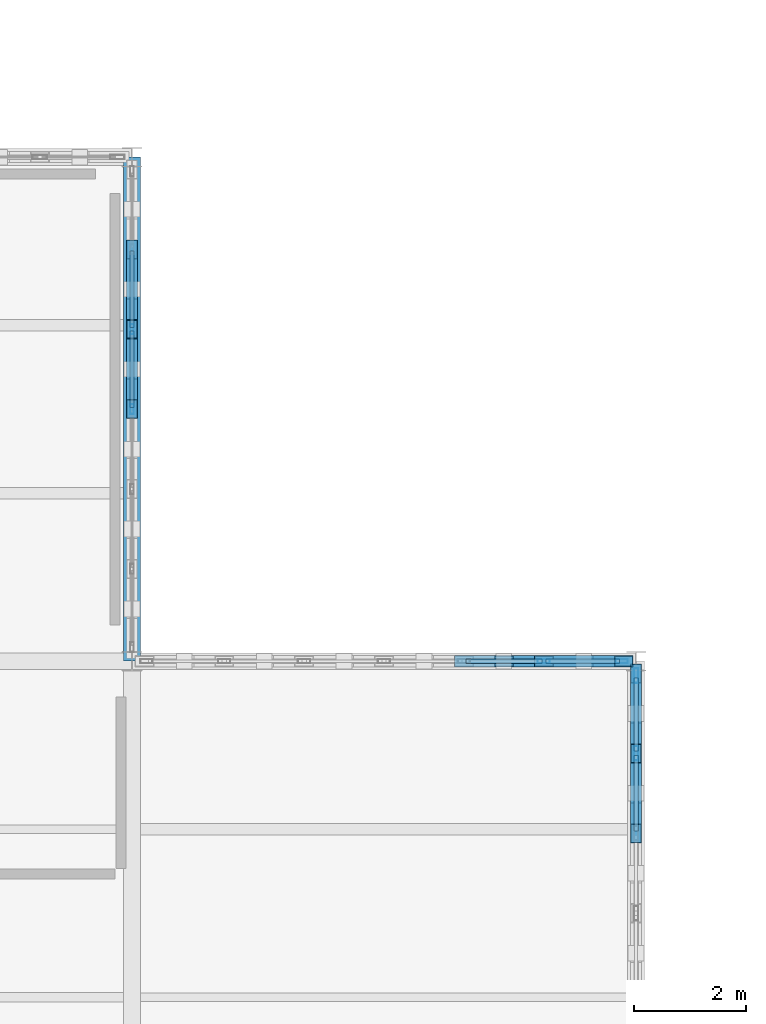
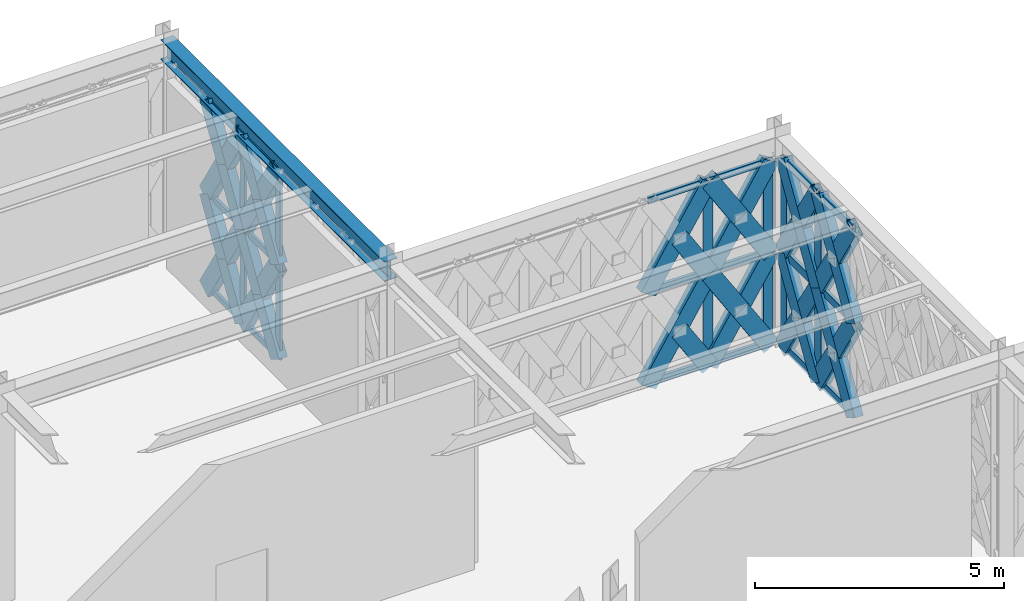
# One storey, part 121 of 166: 58 members, 1 beam, 3 elements without a shape of their own.
"""IFC4 building model written with IfcOpenShell, lengths in metres."""

from ifc_helpers import new_model, si_unit, direction, frame, origin, origin_2d, place, context, subcontext, project, spatial, hollow_rectangle, i_section, extrude, material, material_profile, profile_set, type_object, element, aggregate, save


model = new_model("IFC4")

# Units and contexts
model_context = context("Model", 3, precision=1e-05, world=origin(), true_north=direction((0.0, 1.0)))
body_context = subcontext(model_context, "Body", "Model", "MODEL_VIEW")
ifc_project = project(units=[si_unit("LENGTHUNIT", "METRE"), si_unit("AREAUNIT", "SQUARE_METRE"), si_unit("VOLUMEUNIT", "CUBIC_METRE"), si_unit("PLANEANGLEUNIT", "RADIAN"), si_unit("MASSUNIT", "GRAM", prefix="KILO")], contexts=[model_context])

# Site, building, storey
site_placement = place(None, origin())
site = spatial("IfcSite", under=ifc_project, at=site_placement, CompositionType="ELEMENT")
building_placement = place(site_placement, origin())
building = spatial("IfcBuilding", under=site, at=building_placement, Name="Haizhuo Lancet Aquarium", CompositionType="ELEMENT")
storey_placement = place(building_placement, frame((0.0, 0.0, 5.39990234375)))
storey = spatial("IfcBuildingStorey", under=building, at=storey_placement, Name="L01", CompositionType="ELEMENT", Elevation=5.39990234375)

# Beam
ifc_material_1 = material(Name="Steel S355", Category="steel")
ifc_material_profile_1 = material_profile(ifc_material_1, i_section(OverallWidth=0.300048828125, OverallDepth=0.488037109375, WebThickness=0.010986328125, FlangeThickness=0.01806640625, FilletRadius=0.02392578125, at=origin_2d()), Name="HM 488x300x11x18")
ifc_profile_set_1 = profile_set([ifc_material_profile_1], Name="Steel S355")
beam_type = type_object("IfcBeamType", Name="BM-ST-HM488", PredefinedType="BEAM", material=ifc_profile_set_1)
beam_placement = place(storey_placement, frame((63.0, 27.0, 4.89599609375), z_axis=(0.0, 1.0, 0.0), x_axis=(-1.0, 0.0, 0.0)))
element("IfcBeam", 1, at=beam_placement, inside=storey, type_object=beam_type, Name="L01 V7 primary girder BM-L01-V7-025", PredefinedType="BEAM", context=body_context, shape_type="SweptSolid", body=[
    extrude(i_section(OverallWidth=0.300048828125, OverallDepth=0.488037109375, WebThickness=0.010986328125, FlangeThickness=0.01806640625, FilletRadius=0.02392578125, at=origin_2d()), origin(), (0.0, 0.0, 1.0), 9.0),
])

# Curtain wall, members
ifc_material_2 = material(Name="Aluminium 6063-T6", Category="aluminium")
curtain_wall_type_1 = type_object("IfcCurtainWallType", Name="CWD-8560x4650", PredefinedType="NOTDEFINED", material=ifc_material_2)
curtain_wall_1_placement = place(storey_placement, origin())
curtain_wall_1 = element("IfcCurtainWall", 2, at=curtain_wall_1_placement, inside=storey, type_object=curtain_wall_type_1, Name="L01 curtain wall CW-V7-L01-286", PredefinedType="NOTDEFINED")
ifc_material_profile_2 = material_profile(ifc_material_2, hollow_rectangle(XDim=0.06494140625, YDim=0.179931640625, WallThickness=0.00390625, at=origin_2d()), Name="ALU-M 65x180x4")
ifc_profile_set_2 = profile_set([ifc_material_profile_2], Name="Aluminium 6063-T6")
member_type_1 = type_object("IfcMemberType", Name="CW-MUL-1", PredefinedType="MULLION", material=ifc_profile_set_2)
member_1_placement = place(storey_placement, frame((63.0, 32.927001953125, 0.0), z_axis=(0.0, 0.0, 1.0), x_axis=(1.0, 0.0, 0.0)))
member_1 = element("IfcMember", 3, at=member_1_placement, type_object=member_type_1, Name="CWD-85x46 mullion 3", PredefinedType="MULLION", context=body_context, shape_type="SweptSolid", body=[
    extrude(hollow_rectangle(XDim=0.06494140625, YDim=0.179931640625, WallThickness=0.00390625, at=origin_2d()), origin(), (0.0, 0.0, 1.0), 4.652099609375),
])
member_2_placement = place(storey_placement, frame((63.0, 31.5, 0.0), z_axis=(0.0, 0.0, 1.0), x_axis=(1.0, 0.0, 0.0)))
member_2 = element("IfcMember", 4, at=member_2_placement, type_object=member_type_1, Name="CWD-85x46 mullion 4", PredefinedType="MULLION", context=body_context, shape_type="SweptSolid", body=[
    extrude(hollow_rectangle(XDim=0.06494140625, YDim=0.179931640625, WallThickness=0.00390625, at=origin_2d()), origin(), (0.0, 0.0, 1.0), 4.652099609375),
])

curtain_wall_type_2 = type_object("IfcCurtainWallType", Name="CWD-8560x4550", PredefinedType="NOTDEFINED", material=ifc_material_2)
curtain_wall_2_placement = place(storey_placement, origin())
curtain_wall_2 = element("IfcCurtainWall", 5, at=curtain_wall_2_placement, inside=storey, type_object=curtain_wall_type_2, Name="L01 curtain wall CW-V7-L01-287", PredefinedType="NOTDEFINED")
ifc_material_profile_3 = material_profile(ifc_material_2, hollow_rectangle(XDim=0.074951171875, YDim=0.219970703125, WallThickness=0.0048828125, at=origin_2d()), Name="ALU-M 75x220x5")
ifc_profile_set_3 = profile_set([ifc_material_profile_3], Name="Aluminium 6063-T6")
member_type_2 = type_object("IfcMemberType", Name="CW-MUL-2", PredefinedType="MULLION", material=ifc_profile_set_3)
member_3_placement = place(storey_placement, frame((70.35302734375, 27.0, 0.0), z_axis=(0.0, 0.0, 1.0), x_axis=(0.0, 1.0, 0.0)))
member_3 = element("IfcMember", 6, at=member_3_placement, type_object=member_type_2, Name="CWD-85x45 mullion 6", PredefinedType="MULLION", context=body_context, shape_type="SweptSolid", body=[
    extrude(hollow_rectangle(XDim=0.074951171875, YDim=0.219970703125, WallThickness=0.0048828125, at=origin_2d()), origin(), (0.0, 0.0, 1.0), 4.552001953125),
])
member_4_placement = place(storey_placement, frame((71.742919921875, 27.0, 0.0), z_axis=(0.0, 0.0, 1.0), x_axis=(0.0, 1.0, 0.0)))
member_4 = element("IfcMember", 7, at=member_4_placement, type_object=member_type_2, Name="CWD-85x45 mullion 7", PredefinedType="MULLION", context=body_context, shape_type="SweptSolid", body=[
    extrude(hollow_rectangle(XDim=0.074951171875, YDim=0.219970703125, WallThickness=0.0048828125, at=origin_2d()), origin(), (0.0, 0.0, 1.0), 4.552001953125),
])

curtain_wall_3_placement = place(storey_placement, origin())
curtain_wall_3 = element("IfcCurtainWall", 8, at=curtain_wall_3_placement, inside=storey, type_object=curtain_wall_type_1, Name="L01 curtain wall CW-V7-L01-288", PredefinedType="NOTDEFINED")
ifc_material_profile_4 = material_profile(ifc_material_2, hollow_rectangle(XDim=0.080078125, YDim=0.260009765625, WallThickness=0.0048828125, at=origin_2d()), Name="ALU-M 80x260x5")
ifc_profile_set_4 = profile_set([ifc_material_profile_4], Name="Aluminium 6063-T6")
member_type_3 = type_object("IfcMemberType", Name="CW-MUL-3", PredefinedType="MULLION", material=ifc_profile_set_4)
member_5_placement = place(storey_placement, frame((72.0, 26.739990234375, 0.0), z_axis=(0.0, 0.0, 1.0), x_axis=(1.0, 0.0, 0.0)))
member_5 = element("IfcMember", 9, at=member_5_placement, type_object=member_type_3, Name="CWD-85x46 mullion 1", PredefinedType="MULLION", context=body_context, shape_type="SweptSolid", body=[
    extrude(hollow_rectangle(XDim=0.080078125, YDim=0.260009765625, WallThickness=0.0048828125, at=origin_2d()), origin(), (0.0, 0.0, 1.0), 4.652099609375),
])
member_6_placement = place(storey_placement, frame((72.0, 25.35302734375, 0.0), z_axis=(0.0, 0.0, 1.0), x_axis=(1.0, 0.0, 0.0)))
member_6 = element("IfcMember", 10, at=member_6_placement, type_object=member_type_3, Name="CWD-85x46 mullion 2", PredefinedType="MULLION", context=body_context, shape_type="SweptSolid", body=[
    extrude(hollow_rectangle(XDim=0.080078125, YDim=0.260009765625, WallThickness=0.0048828125, at=origin_2d()), origin(), (0.0, 0.0, 1.0), 4.652099609375),
])

# Member
ifc_material_profile_5 = material_profile(ifc_material_2, hollow_rectangle(XDim=0.06494140625, YDim=0.139892578125, WallThickness=0.00390625, at=origin_2d()), Name="ALU-T 65x140x4")
ifc_profile_set_5 = profile_set([ifc_material_profile_5], Name="Aluminium 6063-T6")
member_type_4 = type_object("IfcMemberType", Name="CW-TRN-1", PredefinedType="NOTDEFINED", material=ifc_profile_set_5)
member_7_placement = place(storey_placement, frame((63.0, 34.321044921875, 0.033203125), z_axis=(0.0, -1.0, 0.0), x_axis=(1.0, 0.0, 0.0)))
member_7 = element("IfcMember", 11, at=member_7_placement, type_object=member_type_4, Name="CWD-85x46 transom 2.1", ObjectType="TRANSOM", PredefinedType="USERDEFINED", context=body_context, shape_type="SweptSolid", body=[
    extrude(hollow_rectangle(XDim=0.06494140625, YDim=0.139892578125, WallThickness=0.00390625, at=origin_2d()), origin(), (0.0, 0.0, 1.0), 1.362060546875),
])

member_8_placement = place(storey_placement, frame((63.0, 34.321044921875, 2.326171875), z_axis=(0.0, -1.0, 0.0), x_axis=(1.0, 0.0, 0.0)))
member_8 = element("IfcMember", 12, at=member_8_placement, type_object=member_type_4, Name="CWD-85x46 transom 2.2", ObjectType="TRANSOM", PredefinedType="USERDEFINED", context=body_context, shape_type="SweptSolid", body=[
    extrude(hollow_rectangle(XDim=0.06494140625, YDim=0.139892578125, WallThickness=0.00390625, at=origin_2d()), origin(), (0.0, 0.0, 1.0), 1.362060546875),
])

member_9_placement = place(storey_placement, frame((63.0, 34.321044921875, 4.619140625), z_axis=(0.0, -1.0, 0.0), x_axis=(1.0, 0.0, 0.0)))
member_9 = element("IfcMember", 13, at=member_9_placement, type_object=member_type_4, Name="CWD-85x46 transom 2.3", ObjectType="TRANSOM", PredefinedType="USERDEFINED", context=body_context, shape_type="SweptSolid", body=[
    extrude(hollow_rectangle(XDim=0.06494140625, YDim=0.139892578125, WallThickness=0.00390625, at=origin_2d()), origin(), (0.0, 0.0, 1.0), 1.362060546875),
])

member_10_placement = place(storey_placement, frame((63.0, 32.89404296875, 0.033203125), z_axis=(0.0, -1.0, 0.0), x_axis=(1.0, 0.0, 0.0)))
member_10 = element("IfcMember", 14, at=member_10_placement, type_object=member_type_4, Name="CWD-85x46 transom 3.1", ObjectType="TRANSOM", PredefinedType="USERDEFINED", context=body_context, shape_type="SweptSolid", body=[
    extrude(hollow_rectangle(XDim=0.06494140625, YDim=0.139892578125, WallThickness=0.00390625, at=origin_2d()), origin(), (0.0, 0.0, 1.0), 1.362060546875),
])

member_11_placement = place(storey_placement, frame((63.0, 32.89404296875, 2.326171875), z_axis=(0.0, -1.0, 0.0), x_axis=(1.0, 0.0, 0.0)))
member_11 = element("IfcMember", 15, at=member_11_placement, type_object=member_type_4, Name="CWD-85x46 transom 3.2", ObjectType="TRANSOM", PredefinedType="USERDEFINED", context=body_context, shape_type="SweptSolid", body=[
    extrude(hollow_rectangle(XDim=0.06494140625, YDim=0.139892578125, WallThickness=0.00390625, at=origin_2d()), origin(), (0.0, 0.0, 1.0), 1.362060546875),
])

member_12_placement = place(storey_placement, frame((63.0, 32.89404296875, 4.619140625), z_axis=(0.0, -1.0, 0.0), x_axis=(1.0, 0.0, 0.0)))
member_12 = element("IfcMember", 16, at=member_12_placement, type_object=member_type_4, Name="CWD-85x46 transom 3.3", ObjectType="TRANSOM", PredefinedType="USERDEFINED", context=body_context, shape_type="SweptSolid", body=[
    extrude(hollow_rectangle(XDim=0.06494140625, YDim=0.139892578125, WallThickness=0.00390625, at=origin_2d()), origin(), (0.0, 0.0, 1.0), 1.362060546875),
])

aggregate(curtain_wall_1, [member_1, member_2, member_7, member_8, member_9, member_10, member_11, member_12])

ifc_material_profile_6 = material_profile(ifc_material_2, hollow_rectangle(XDim=0.074951171875, YDim=0.159912109375, WallThickness=0.00390625, at=origin_2d()), Name="ALU-T 75x160x4")
ifc_profile_set_6 = profile_set([ifc_material_profile_6], Name="Aluminium 6063-T6")
member_type_5 = type_object("IfcMemberType", Name="CW-TRN-2", PredefinedType="NOTDEFINED", material=ifc_profile_set_6)
member_13_placement = place(storey_placement, frame((68.964111328125, 27.0, 0.0380859375), z_axis=(1.0, 0.0, 0.0), x_axis=(0.0, 1.0, 0.0)))
member_13 = element("IfcMember", 17, at=member_13_placement, type_object=member_type_5, Name="CWD-85x45 transom 5.1", ObjectType="TRANSOM", PredefinedType="USERDEFINED", context=body_context, shape_type="SweptSolid", body=[
    extrude(hollow_rectangle(XDim=0.074951171875, YDim=0.159912109375, WallThickness=0.00390625, at=origin_2d()), origin(), (0.0, 0.0, 1.0), 1.351806640625),
])

member_14_placement = place(storey_placement, frame((68.964111328125, 27.0, 2.276123046875), z_axis=(1.0, 0.0, 0.0), x_axis=(0.0, 1.0, 0.0)))
member_14 = element("IfcMember", 18, at=member_14_placement, type_object=member_type_5, Name="CWD-85x45 transom 5.2", ObjectType="TRANSOM", PredefinedType="USERDEFINED", context=body_context, shape_type="SweptSolid", body=[
    extrude(hollow_rectangle(XDim=0.074951171875, YDim=0.159912109375, WallThickness=0.00390625, at=origin_2d()), origin(), (0.0, 0.0, 1.0), 1.351806640625),
])

member_15_placement = place(storey_placement, frame((68.964111328125, 27.0, 4.51513671875), z_axis=(1.0, 0.0, 0.0), x_axis=(0.0, 1.0, 0.0)))
member_15 = element("IfcMember", 19, at=member_15_placement, type_object=member_type_5, Name="CWD-85x45 transom 5.3", ObjectType="TRANSOM", PredefinedType="USERDEFINED", context=body_context, shape_type="SweptSolid", body=[
    extrude(hollow_rectangle(XDim=0.074951171875, YDim=0.159912109375, WallThickness=0.00390625, at=origin_2d()), origin(), (0.0, 0.0, 1.0), 1.351806640625),
])

member_16_placement = place(storey_placement, frame((70.39111328125, 27.0, 0.0380859375), z_axis=(1.0, 0.0, 0.0), x_axis=(0.0, 1.0, 0.0)))
member_16 = element("IfcMember", 20, at=member_16_placement, type_object=member_type_5, Name="CWD-85x45 transom 6.1", ObjectType="TRANSOM", PredefinedType="USERDEFINED", context=body_context, shape_type="SweptSolid", body=[
    extrude(hollow_rectangle(XDim=0.074951171875, YDim=0.159912109375, WallThickness=0.00390625, at=origin_2d()), origin(), (0.0, 0.0, 1.0), 1.31396484375),
])

member_17_placement = place(storey_placement, frame((70.39111328125, 27.0, 2.276123046875), z_axis=(1.0, 0.0, 0.0), x_axis=(0.0, 1.0, 0.0)))
member_17 = element("IfcMember", 21, at=member_17_placement, type_object=member_type_5, Name="CWD-85x45 transom 6.2", ObjectType="TRANSOM", PredefinedType="USERDEFINED", context=body_context, shape_type="SweptSolid", body=[
    extrude(hollow_rectangle(XDim=0.074951171875, YDim=0.159912109375, WallThickness=0.00390625, at=origin_2d()), origin(), (0.0, 0.0, 1.0), 1.31396484375),
])

member_18_placement = place(storey_placement, frame((70.39111328125, 27.0, 4.51513671875), z_axis=(1.0, 0.0, 0.0), x_axis=(0.0, 1.0, 0.0)))
member_18 = element("IfcMember", 22, at=member_18_placement, type_object=member_type_5, Name="CWD-85x45 transom 6.3", ObjectType="TRANSOM", PredefinedType="USERDEFINED", context=body_context, shape_type="SweptSolid", body=[
    extrude(hollow_rectangle(XDim=0.074951171875, YDim=0.159912109375, WallThickness=0.00390625, at=origin_2d()), origin(), (0.0, 0.0, 1.0), 1.31396484375),
])

aggregate(curtain_wall_2, [member_3, member_4, member_13, member_14, member_15, member_16, member_17, member_18])

ifc_material_profile_7 = material_profile(ifc_material_2, hollow_rectangle(XDim=0.080078125, YDim=0.18994140625, WallThickness=0.0048828125, at=origin_2d()), Name="ALU-T 80x190x5")
ifc_profile_set_7 = profile_set([ifc_material_profile_7], Name="Aluminium 6063-T6")
member_type_6 = type_object("IfcMemberType", Name="CW-TRN-3", PredefinedType="NOTDEFINED", material=ifc_profile_set_7)
member_19_placement = place(storey_placement, frame((72.0, 26.699951171875, 0.0400390625), z_axis=(0.0, -1.0, 0.0), x_axis=(1.0, 0.0, 0.0)))
member_19 = element("IfcMember", 23, at=member_19_placement, type_object=member_type_6, Name="CWD-85x46 transom 1.1", ObjectType="TRANSOM", PredefinedType="USERDEFINED", context=body_context, shape_type="SweptSolid", body=[
    extrude(hollow_rectangle(XDim=0.080078125, YDim=0.18994140625, WallThickness=0.0048828125, at=origin_2d()), origin(), (0.0, 0.0, 1.0), 1.306884765625),
])

member_20_placement = place(storey_placement, frame((72.0, 26.699951171875, 2.326171875), z_axis=(0.0, -1.0, 0.0), x_axis=(1.0, 0.0, 0.0)))
member_20 = element("IfcMember", 24, at=member_20_placement, type_object=member_type_6, Name="CWD-85x46 transom 1.2", ObjectType="TRANSOM", PredefinedType="USERDEFINED", context=body_context, shape_type="SweptSolid", body=[
    extrude(hollow_rectangle(XDim=0.080078125, YDim=0.18994140625, WallThickness=0.0048828125, at=origin_2d()), origin(), (0.0, 0.0, 1.0), 1.306884765625),
])

member_21_placement = place(storey_placement, frame((72.0, 26.699951171875, 4.612060546875), z_axis=(0.0, -1.0, 0.0), x_axis=(1.0, 0.0, 0.0)))
member_21 = element("IfcMember", 25, at=member_21_placement, type_object=member_type_6, Name="CWD-85x46 transom 1.3", ObjectType="TRANSOM", PredefinedType="USERDEFINED", context=body_context, shape_type="SweptSolid", body=[
    extrude(hollow_rectangle(XDim=0.080078125, YDim=0.18994140625, WallThickness=0.0048828125, at=origin_2d()), origin(), (0.0, 0.0, 1.0), 1.306884765625),
])

member_22_placement = place(storey_placement, frame((72.0, 25.31298828125, 0.0400390625), z_axis=(0.0, -1.0, 0.0), x_axis=(1.0, 0.0, 0.0)))
member_22 = element("IfcMember", 26, at=member_22_placement, type_object=member_type_6, Name="CWD-85x46 transom 2.1", ObjectType="TRANSOM", PredefinedType="USERDEFINED", context=body_context, shape_type="SweptSolid", body=[
    extrude(hollow_rectangle(XDim=0.080078125, YDim=0.18994140625, WallThickness=0.0048828125, at=origin_2d()), origin(), (0.0, 0.0, 1.0), 1.345947265625),
])

member_23_placement = place(storey_placement, frame((72.0, 25.31298828125, 2.326171875), z_axis=(0.0, -1.0, 0.0), x_axis=(1.0, 0.0, 0.0)))
member_23 = element("IfcMember", 27, at=member_23_placement, type_object=member_type_6, Name="CWD-85x46 transom 2.2", ObjectType="TRANSOM", PredefinedType="USERDEFINED", context=body_context, shape_type="SweptSolid", body=[
    extrude(hollow_rectangle(XDim=0.080078125, YDim=0.18994140625, WallThickness=0.0048828125, at=origin_2d()), origin(), (0.0, 0.0, 1.0), 1.345947265625),
])

member_24_placement = place(storey_placement, frame((72.0, 25.31298828125, 4.612060546875), z_axis=(0.0, -1.0, 0.0), x_axis=(1.0, 0.0, 0.0)))
member_24 = element("IfcMember", 28, at=member_24_placement, type_object=member_type_6, Name="CWD-85x46 transom 2.3", ObjectType="TRANSOM", PredefinedType="USERDEFINED", context=body_context, shape_type="SweptSolid", body=[
    extrude(hollow_rectangle(XDim=0.080078125, YDim=0.18994140625, WallThickness=0.0048828125, at=origin_2d()), origin(), (0.0, 0.0, 1.0), 1.345947265625),
])

aggregate(curtain_wall_3, [member_5, member_6, member_19, member_20, member_21, member_22, member_23, member_24])

# Members
ifc_material_profile_8 = material_profile(ifc_material_1, hollow_rectangle(XDim=0.199951171875, YDim=0.39990234375, WallThickness=0.011962890625, at=origin_2d()), Name="RHS 200x400x12")
ifc_profile_set_8 = profile_set([ifc_material_profile_8], Name="Steel S355")
member_type_7 = type_object("IfcMemberType", Name="MEM-LB-RHS200x400", PredefinedType="BRACE", material=ifc_profile_set_8)
member_25_placement = place(storey_placement, frame((63.0, 34.35302734375, 0.0), z_axis=(0.0, -0.522643885704, 0.852551094502), x_axis=(1.0, 0.0, 0.0)))
element("IfcMember", 29, at=member_25_placement, inside=storey, type_object=member_type_7, Name="Gothic lancet continuous diagonal brace CW-V7-L01-286 3A", PredefinedType="BRACE", context=body_context, shape_type="SweptSolid", body=[
    extrude(hollow_rectangle(XDim=0.199951171875, YDim=0.39990234375, WallThickness=0.011962890625, at=origin_2d()), origin(), (0.0, 0.0, 1.0), 2.728515625),
])
for number, where, z_axis, x_axis, name in (
    (30, (63.0, 32.927001953125, 0.0), (0.0, 0.522578844291, 0.852590963768), (-1.0, 0.0, 0.0), "Gothic lancet split diagonal brace CW-V7-L01-286 3B1"),
    (31, (63.0, 33.639892578125, 1.1630859375), (0.0, 0.522708917992, 0.852511224003), (-1.0, 0.0, 0.0), "Gothic lancet split diagonal brace CW-V7-L01-286 3B2"),
):
    element("IfcMember", number, at=place(storey_placement, frame(where, z_axis=z_axis, x_axis=x_axis)), inside=storey, type_object=member_type_7, Name=name, PredefinedType="BRACE", context=body_context, shape_type="SweptSolid", body=[
        extrude(hollow_rectangle(XDim=0.199951171875, YDim=0.39990234375, WallThickness=0.011962890625, at=origin_2d()), origin(), (0.0, 0.0, 1.0), 1.3642578125),
    ])
member_26_placement = place(storey_placement, frame((63.0, 34.35302734375, 2.326171875), z_axis=(0.0, -0.522683758057, 0.852526650061), x_axis=(1.0, 0.0, 0.0)))
element("IfcMember", 32, at=member_26_placement, inside=storey, type_object=member_type_7, Name="Gothic lancet continuous diagonal brace CW-V7-L01-286 4A", PredefinedType="BRACE", context=body_context, shape_type="SweptSolid", body=[
    extrude(hollow_rectangle(XDim=0.199951171875, YDim=0.39990234375, WallThickness=0.011962890625, at=origin_2d()), origin(), (0.0, 0.0, 1.0), 2.728271484375),
])
member_27_placement = place(storey_placement, frame((63.0, 32.927001953125, 2.326171875), z_axis=(0.0, 0.522658591473, 0.852542079173), x_axis=(-1.0, 0.0, 0.0)))
element("IfcMember", 33, at=member_27_placement, inside=storey, type_object=member_type_7, Name="Gothic lancet split diagonal brace CW-V7-L01-286 4B1", PredefinedType="BRACE", context=body_context, shape_type="SweptSolid", body=[
    extrude(hollow_rectangle(XDim=0.199951171875, YDim=0.39990234375, WallThickness=0.011962890625, at=origin_2d()), origin(), (0.0, 0.0, 1.0), 1.364013671875),
])
member_28_placement = place(storey_placement, frame((63.0, 33.639892578125, 3.489013671875), z_axis=(0.0, 0.522708917992, 0.852511224003), x_axis=(-1.0, 0.0, 0.0)))
element("IfcMember", 34, at=member_28_placement, inside=storey, type_object=member_type_7, Name="Gothic lancet split diagonal brace CW-V7-L01-286 4B2", PredefinedType="BRACE", context=body_context, shape_type="SweptSolid", body=[
    extrude(hollow_rectangle(XDim=0.199951171875, YDim=0.39990234375, WallThickness=0.011962890625, at=origin_2d()), origin(), (0.0, 0.0, 1.0), 1.3642578125),
])
member_29_placement = place(storey_placement, frame((63.0, 32.927001953125, 0.0), z_axis=(0.0, -0.522903960116, 0.85239160513), x_axis=(1.0, 0.0, 0.0)))
element("IfcMember", 35, at=member_29_placement, inside=storey, type_object=member_type_7, Name="Gothic lancet continuous diagonal brace CW-V7-L01-286 5A", PredefinedType="BRACE", context=body_context, shape_type="SweptSolid", body=[
    extrude(hollow_rectangle(XDim=0.199951171875, YDim=0.39990234375, WallThickness=0.011962890625, at=origin_2d()), origin(), (0.0, 0.0, 1.0), 2.72900390625),
])
member_30_placement = place(storey_placement, frame((63.0, 31.5, 0.0), z_axis=(0.0, 0.522578844291, 0.852590963768), x_axis=(-1.0, 0.0, 0.0)))
element("IfcMember", 36, at=member_30_placement, inside=storey, type_object=member_type_7, Name="Gothic lancet split diagonal brace CW-V7-L01-286 5B1", PredefinedType="BRACE", context=body_context, shape_type="SweptSolid", body=[
    extrude(hollow_rectangle(XDim=0.199951171875, YDim=0.39990234375, WallThickness=0.011962890625, at=origin_2d()), origin(), (0.0, 0.0, 1.0), 1.3642578125),
])
member_31_placement = place(storey_placement, frame((63.0, 32.212890625, 1.1630859375), z_axis=(0.0, 0.523228847887, 0.85219221584), x_axis=(-1.0, 0.0, 0.0)))
element("IfcMember", 37, at=member_31_placement, inside=storey, type_object=member_type_7, Name="Gothic lancet split diagonal brace CW-V7-L01-286 5B2", PredefinedType="BRACE", context=body_context, shape_type="SweptSolid", body=[
    extrude(hollow_rectangle(XDim=0.199951171875, YDim=0.39990234375, WallThickness=0.011962890625, at=origin_2d()), origin(), (0.0, 0.0, 1.0), 1.36474609375),
])
member_32_placement = place(storey_placement, frame((63.0, 32.927001953125, 2.326171875), z_axis=(0.0, -0.522943837384, 0.852367140933), x_axis=(1.0, 0.0, 0.0)))
element("IfcMember", 38, at=member_32_placement, inside=storey, type_object=member_type_7, Name="Gothic lancet continuous diagonal brace CW-V7-L01-286 6A", PredefinedType="BRACE", context=body_context, shape_type="SweptSolid", body=[
    extrude(hollow_rectangle(XDim=0.199951171875, YDim=0.39990234375, WallThickness=0.011962890625, at=origin_2d()), origin(), (0.0, 0.0, 1.0), 2.728759765625),
])
member_33_placement = place(storey_placement, frame((63.0, 31.5, 2.326171875), z_axis=(0.0, 0.522658591473, 0.852542079173), x_axis=(-1.0, 0.0, 0.0)))
element("IfcMember", 39, at=member_33_placement, inside=storey, type_object=member_type_7, Name="Gothic lancet split diagonal brace CW-V7-L01-286 6B1", PredefinedType="BRACE", context=body_context, shape_type="SweptSolid", body=[
    extrude(hollow_rectangle(XDim=0.199951171875, YDim=0.39990234375, WallThickness=0.011962890625, at=origin_2d()), origin(), (0.0, 0.0, 1.0), 1.364013671875),
])
member_34_placement = place(storey_placement, frame((63.0, 32.212890625, 3.489013671875), z_axis=(0.0, 0.523228847887, 0.85219221584), x_axis=(-1.0, 0.0, 0.0)))
element("IfcMember", 40, at=member_34_placement, inside=storey, type_object=member_type_7, Name="Gothic lancet split diagonal brace CW-V7-L01-286 6B2", PredefinedType="BRACE", context=body_context, shape_type="SweptSolid", body=[
    extrude(hollow_rectangle(XDim=0.199951171875, YDim=0.39990234375, WallThickness=0.011962890625, at=origin_2d()), origin(), (0.0, 0.0, 1.0), 1.36474609375),
])
member_35_placement = place(storey_placement, frame((68.927001953125, 27.0, 0.0), z_axis=(0.53092188125, 0.0, 0.847420766803), x_axis=(0.0, 1.0, 0.0)))
element("IfcMember", 41, at=member_35_placement, inside=storey, type_object=member_type_7, Name="Gothic lancet continuous diagonal brace CW-V7-L01-287 9A", PredefinedType="BRACE", context=body_context, shape_type="SweptSolid", body=[
    extrude(hollow_rectangle(XDim=0.199951171875, YDim=0.39990234375, WallThickness=0.011962890625, at=origin_2d()), origin(), (0.0, 0.0, 1.0), 2.68603515625),
])
member_36_placement = place(storey_placement, frame((70.35302734375, 27.0, 0.0), z_axis=(-0.530946256911, 0.0, 0.847405494597), x_axis=(0.0, -1.0, 0.0)))
element("IfcMember", 42, at=member_36_placement, inside=storey, type_object=member_type_7, Name="Gothic lancet split diagonal brace CW-V7-L01-287 9B1", PredefinedType="BRACE", context=body_context, shape_type="SweptSolid", body=[
    extrude(hollow_rectangle(XDim=0.199951171875, YDim=0.39990234375, WallThickness=0.011962890625, at=origin_2d()), origin(), (0.0, 0.0, 1.0), 1.343017578125),
])
member_37_placement = place(storey_placement, frame((68.927001953125, 27.0, 2.276123046875), z_axis=(0.530962779059, 0.0, 0.847395142336), x_axis=(0.0, 1.0, 0.0)))
element("IfcMember", 43, at=member_37_placement, inside=storey, type_object=member_type_7, Name="Gothic lancet continuous diagonal brace CW-V7-L01-287 10A", PredefinedType="BRACE", context=body_context, shape_type="SweptSolid", body=[
    extrude(hollow_rectangle(XDim=0.199951171875, YDim=0.39990234375, WallThickness=0.011962890625, at=origin_2d()), origin(), (0.0, 0.0, 1.0), 2.685791015625),
])
member_38_placement = place(storey_placement, frame((70.35302734375, 27.0, 2.276123046875), z_axis=(-0.531028049623, 0.0, 0.847354241456), x_axis=(0.0, -1.0, 0.0)))
element("IfcMember", 44, at=member_38_placement, inside=storey, type_object=member_type_7, Name="Gothic lancet split diagonal brace CW-V7-L01-287 10B1", PredefinedType="BRACE", context=body_context, shape_type="SweptSolid", body=[
    extrude(hollow_rectangle(XDim=0.199951171875, YDim=0.39990234375, WallThickness=0.011962890625, at=origin_2d()), origin(), (0.0, 0.0, 1.0), 1.343017578125),
])
member_39_placement = place(storey_placement, frame((70.35302734375, 27.0, 0.0), z_axis=(0.531182902496, 0.0, 0.84725717707), x_axis=(0.0, 1.0, 0.0)))
element("IfcMember", 45, at=member_39_placement, inside=storey, type_object=member_type_7, Name="Gothic lancet continuous diagonal brace CW-V7-L01-287 11A", PredefinedType="BRACE", context=body_context, shape_type="SweptSolid", body=[
    extrude(hollow_rectangle(XDim=0.199951171875, YDim=0.39990234375, WallThickness=0.011962890625, at=origin_2d()), origin(), (0.0, 0.0, 1.0), 2.6865234375),
])
member_40_placement = place(storey_placement, frame((71.780029296875, 27.0, 0.0), z_axis=(-0.531468064081, 0.0, 0.847078329827), x_axis=(0.0, -1.0, 0.0)))
element("IfcMember", 46, at=member_40_placement, inside=storey, type_object=member_type_7, Name="Gothic lancet split diagonal brace CW-V7-L01-287 11B1", PredefinedType="BRACE", context=body_context, shape_type="SweptSolid", body=[
    extrude(hollow_rectangle(XDim=0.199951171875, YDim=0.39990234375, WallThickness=0.011962890625, at=origin_2d()), origin(), (0.0, 0.0, 1.0), 1.34375),
])
member_41_placement = place(storey_placement, frame((71.06591796875, 27.0, 1.13818359375), z_axis=(-0.530897499042, 0.0, 0.847436042136), x_axis=(0.0, -1.0, 0.0)))
element("IfcMember", 47, at=member_41_placement, inside=storey, type_object=member_type_7, Name="Gothic lancet split diagonal brace CW-V7-L01-287 11B2", PredefinedType="BRACE", context=body_context, shape_type="SweptSolid", body=[
    extrude(hollow_rectangle(XDim=0.199951171875, YDim=0.39990234375, WallThickness=0.011962890625, at=origin_2d()), origin(), (0.0, 0.0, 1.0), 1.3427734375),
])
member_42_placement = place(storey_placement, frame((70.35302734375, 27.0, 2.276123046875), z_axis=(0.531223804613, 0.0, 0.847231532353), x_axis=(0.0, 1.0, 0.0)))
element("IfcMember", 48, at=member_42_placement, inside=storey, type_object=member_type_7, Name="Gothic lancet continuous diagonal brace CW-V7-L01-287 12A", PredefinedType="BRACE", context=body_context, shape_type="SweptSolid", body=[
    extrude(hollow_rectangle(XDim=0.199951171875, YDim=0.39990234375, WallThickness=0.011962890625, at=origin_2d()), origin(), (0.0, 0.0, 1.0), 2.686279296875),
])
member_43_placement = place(storey_placement, frame((71.780029296875, 27.0, 2.276123046875), z_axis=(-0.531549873957, 0.0, 0.847026995731), x_axis=(0.0, -1.0, 0.0)))
element("IfcMember", 49, at=member_43_placement, inside=storey, type_object=member_type_7, Name="Gothic lancet split diagonal brace CW-V7-L01-287 12B1", PredefinedType="BRACE", context=body_context, shape_type="SweptSolid", body=[
    extrude(hollow_rectangle(XDim=0.199951171875, YDim=0.39990234375, WallThickness=0.011962890625, at=origin_2d()), origin(), (0.0, 0.0, 1.0), 1.343505859375),
])
member_44_placement = place(storey_placement, frame((71.06591796875, 27.0, 3.4140625), z_axis=(-0.530897499042, 0.0, 0.847436042136), x_axis=(0.0, -1.0, 0.0)))
element("IfcMember", 50, at=member_44_placement, inside=storey, type_object=member_type_7, Name="Gothic lancet split diagonal brace CW-V7-L01-287 12B2", PredefinedType="BRACE", context=body_context, shape_type="SweptSolid", body=[
    extrude(hollow_rectangle(XDim=0.199951171875, YDim=0.39990234375, WallThickness=0.011962890625, at=origin_2d()), origin(), (0.0, 0.0, 1.0), 1.3427734375),
])
member_45_placement = place(storey_placement, frame((72.0, 26.780029296875, 0.0), z_axis=(0.0, -0.522903960116, 0.85239160513), x_axis=(1.0, 0.0, 0.0)))
element("IfcMember", 51, at=member_45_placement, inside=storey, type_object=member_type_7, Name="Gothic lancet continuous diagonal brace CW-V7-L01-288 1A", PredefinedType="BRACE", context=body_context, shape_type="SweptSolid", body=[
    extrude(hollow_rectangle(XDim=0.199951171875, YDim=0.39990234375, WallThickness=0.011962890625, at=origin_2d()), origin(), (0.0, 0.0, 1.0), 2.72900390625),
])
member_46_placement = place(storey_placement, frame((72.0, 25.35302734375, 0.0), z_axis=(0.0, 0.52309892014, 0.852271975222), x_axis=(-1.0, 0.0, 0.0)))
element("IfcMember", 52, at=member_46_placement, inside=storey, type_object=member_type_7, Name="Gothic lancet split diagonal brace CW-V7-L01-288 1B1", PredefinedType="BRACE", context=body_context, shape_type="SweptSolid", body=[
    extrude(hollow_rectangle(XDim=0.199951171875, YDim=0.39990234375, WallThickness=0.011962890625, at=origin_2d()), origin(), (0.0, 0.0, 1.0), 1.36474609375),
])
member_47_placement = place(storey_placement, frame((72.0, 26.06689453125, 1.1630859375), z_axis=(0.0, 0.522708917992, 0.852511224003), x_axis=(-1.0, 0.0, 0.0)))
element("IfcMember", 53, at=member_47_placement, inside=storey, type_object=member_type_7, Name="Gothic lancet split diagonal brace CW-V7-L01-288 1B2", PredefinedType="BRACE", context=body_context, shape_type="SweptSolid", body=[
    extrude(hollow_rectangle(XDim=0.199951171875, YDim=0.39990234375, WallThickness=0.011962890625, at=origin_2d()), origin(), (0.0, 0.0, 1.0), 1.3642578125),
])
member_48_placement = place(storey_placement, frame((72.0, 26.780029296875, 2.326171875), z_axis=(0.0, -0.522943837384, 0.852367140933), x_axis=(1.0, 0.0, 0.0)))
element("IfcMember", 54, at=member_48_placement, inside=storey, type_object=member_type_7, Name="Gothic lancet continuous diagonal brace CW-V7-L01-288 2A", PredefinedType="BRACE", context=body_context, shape_type="SweptSolid", body=[
    extrude(hollow_rectangle(XDim=0.199951171875, YDim=0.39990234375, WallThickness=0.011962890625, at=origin_2d()), origin(), (0.0, 0.0, 1.0), 2.728759765625),
])
member_49_placement = place(storey_placement, frame((72.0, 25.35302734375, 2.326171875), z_axis=(0.0, 0.523178686952, 0.852223011611), x_axis=(-1.0, 0.0, 0.0)))
element("IfcMember", 55, at=member_49_placement, inside=storey, type_object=member_type_7, Name="Gothic lancet split diagonal brace CW-V7-L01-288 2B1", PredefinedType="BRACE", context=body_context, shape_type="SweptSolid", body=[
    extrude(hollow_rectangle(XDim=0.199951171875, YDim=0.39990234375, WallThickness=0.011962890625, at=origin_2d()), origin(), (0.0, 0.0, 1.0), 1.364501953125),
])
member_50_placement = place(storey_placement, frame((72.0, 26.06689453125, 3.489013671875), z_axis=(0.0, 0.522708917992, 0.852511224003), x_axis=(-1.0, 0.0, 0.0)))
element("IfcMember", 56, at=member_50_placement, inside=storey, type_object=member_type_7, Name="Gothic lancet split diagonal brace CW-V7-L01-288 2B2", PredefinedType="BRACE", context=body_context, shape_type="SweptSolid", body=[
    extrude(hollow_rectangle(XDim=0.199951171875, YDim=0.39990234375, WallThickness=0.011962890625, at=origin_2d()), origin(), (0.0, 0.0, 1.0), 1.3642578125),
])
member_51_placement = place(storey_placement, frame((72.0, 25.35302734375, 0.0), z_axis=(0.0, -0.522643885704, 0.852551094502), x_axis=(1.0, 0.0, 0.0)))
element("IfcMember", 57, at=member_51_placement, inside=storey, type_object=member_type_7, Name="Gothic lancet continuous diagonal brace CW-V7-L01-288 3A", PredefinedType="BRACE", context=body_context, shape_type="SweptSolid", body=[
    extrude(hollow_rectangle(XDim=0.199951171875, YDim=0.39990234375, WallThickness=0.011962890625, at=origin_2d()), origin(), (0.0, 0.0, 1.0), 2.728515625),
])
for number, where, z_axis, x_axis, name in (
    (58, (72.0, 23.927001953125, 0.0), (0.0, 0.522578844291, 0.852590963768), (-1.0, 0.0, 0.0), "Gothic lancet split diagonal brace CW-V7-L01-288 3B1"),
    (59, (72.0, 24.639892578125, 1.1630859375), (0.0, 0.522708917992, 0.852511224003), (-1.0, 0.0, 0.0), "Gothic lancet split diagonal brace CW-V7-L01-288 3B2"),
):
    element("IfcMember", number, at=place(storey_placement, frame(where, z_axis=z_axis, x_axis=x_axis)), inside=storey, type_object=member_type_7, Name=name, PredefinedType="BRACE", context=body_context, shape_type="SweptSolid", body=[
        extrude(hollow_rectangle(XDim=0.199951171875, YDim=0.39990234375, WallThickness=0.011962890625, at=origin_2d()), origin(), (0.0, 0.0, 1.0), 1.3642578125),
    ])
member_52_placement = place(storey_placement, frame((72.0, 25.35302734375, 2.326171875), z_axis=(0.0, -0.522683758057, 0.852526650061), x_axis=(1.0, 0.0, 0.0)))
element("IfcMember", 60, at=member_52_placement, inside=storey, type_object=member_type_7, Name="Gothic lancet continuous diagonal brace CW-V7-L01-288 4A", PredefinedType="BRACE", context=body_context, shape_type="SweptSolid", body=[
    extrude(hollow_rectangle(XDim=0.199951171875, YDim=0.39990234375, WallThickness=0.011962890625, at=origin_2d()), origin(), (0.0, 0.0, 1.0), 2.728271484375),
])
member_53_placement = place(storey_placement, frame((72.0, 23.927001953125, 2.326171875), z_axis=(0.0, 0.522658591473, 0.852542079173), x_axis=(-1.0, 0.0, 0.0)))
element("IfcMember", 61, at=member_53_placement, inside=storey, type_object=member_type_7, Name="Gothic lancet split diagonal brace CW-V7-L01-288 4B1", PredefinedType="BRACE", context=body_context, shape_type="SweptSolid", body=[
    extrude(hollow_rectangle(XDim=0.199951171875, YDim=0.39990234375, WallThickness=0.011962890625, at=origin_2d()), origin(), (0.0, 0.0, 1.0), 1.364013671875),
])
member_54_placement = place(storey_placement, frame((72.0, 24.639892578125, 3.489013671875), z_axis=(0.0, 0.522708917992, 0.852511224003), x_axis=(-1.0, 0.0, 0.0)))
element("IfcMember", 62, at=member_54_placement, inside=storey, type_object=member_type_7, Name="Gothic lancet split diagonal brace CW-V7-L01-288 4B2", PredefinedType="BRACE", context=body_context, shape_type="SweptSolid", body=[
    extrude(hollow_rectangle(XDim=0.199951171875, YDim=0.39990234375, WallThickness=0.011962890625, at=origin_2d()), origin(), (0.0, 0.0, 1.0), 1.3642578125),
])

save(model, "model.ifc")
